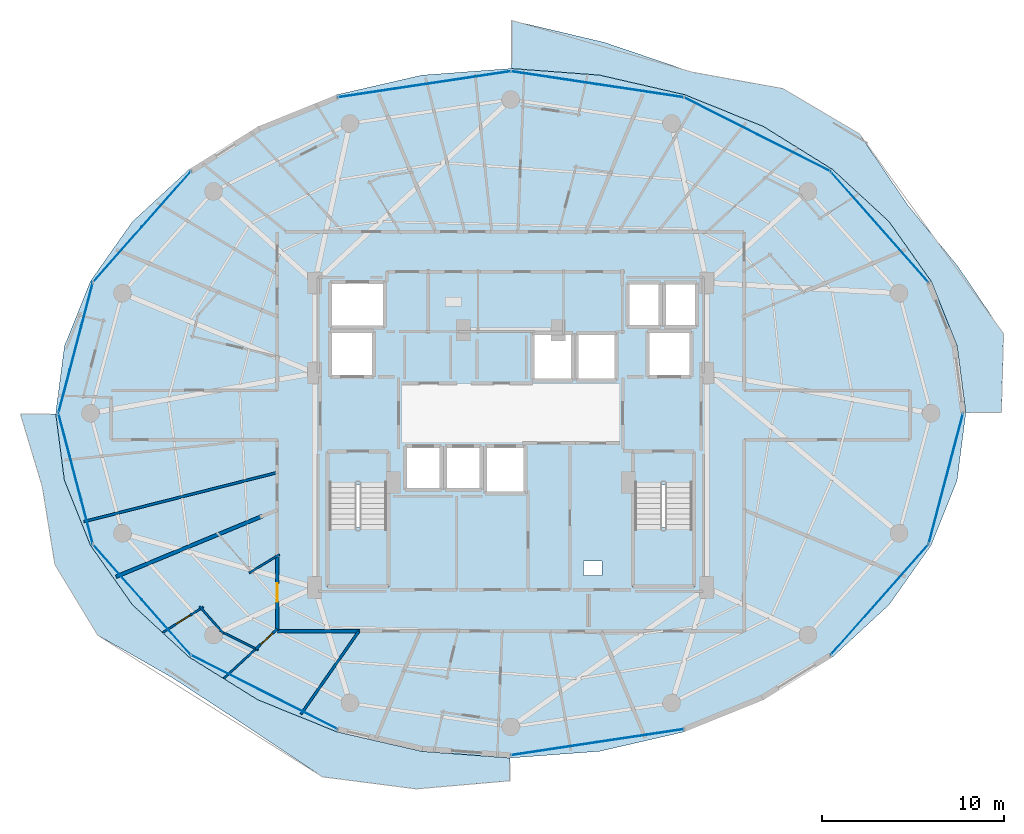
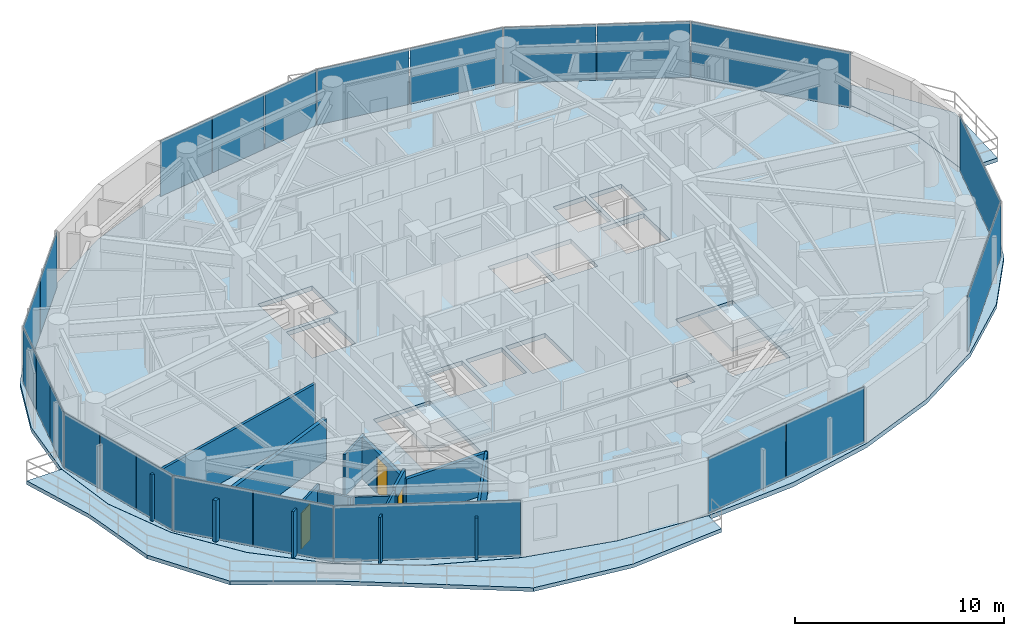
# One storey, part 19 of 28: 23 plates, 11 walls, 5 slabs, 3 doors, 3 openings, 6 elements without a shape of their own.
"""IFC4 building model written with IfcOpenShell, lengths in metres."""

from ifc_helpers import new_model, si_unit, direction, frame, frame_2d, origin, origin_2d, place, context, subcontext, project, spatial, polyline, rectangle, outline, extrude, material, layer, layer_set, type_object, element, fill, aggregate, save


model = new_model("IFC4")

# Units and contexts
model_context = context("Model", 3, precision=1e-05, world=origin(), true_north=direction((0.0, 1.0)))
body_context = subcontext(model_context, "Body", "Model", "MODEL_VIEW")
ifc_project = project(units=[si_unit("LENGTHUNIT", "METRE"), si_unit("AREAUNIT", "SQUARE_METRE"), si_unit("VOLUMEUNIT", "CUBIC_METRE"), si_unit("PLANEANGLEUNIT", "RADIAN"), si_unit("MASSUNIT", "GRAM", prefix="KILO")], contexts=[model_context])

# Site, building, storey
site_placement = place(None, origin())
site = spatial("IfcSite", under=ifc_project, at=site_placement, CompositionType="ELEMENT")
building_placement = place(site_placement, origin())
building = spatial("IfcBuilding", under=site, at=building_placement, Name="Vorneva Point Tower", CompositionType="ELEMENT")
storey_placement = place(building_placement, frame((0.0, 0.0, 143.10009765625)))
storey = spatial("IfcBuildingStorey", under=building, at=storey_placement, Name="L38", CompositionType="ELEMENT", Elevation=143.10009765625)

# Curtain wall, plates
ifc_material_1 = material(Name="Pale anodised aluminium", Category="aluminium")
curtain_wall_type = type_object("IfcCurtainWallType", Name="CW-RES-SYS", PredefinedType="NOTDEFINED", material=ifc_material_1)
curtain_wall_1_placement = place(storey_placement, origin())
curtain_wall_1 = element("IfcCurtainWall", 1, at=curtain_wall_1_placement, inside=storey, type_object=curtain_wall_type, Name="L38 Unitised Curtain Wall CW-L38-R01", PredefinedType="NOTDEFINED")
ifc_material_2 = material(Name="Double low-e laminated glass IGU", Category="glass")
ifc_layer_1 = layer(ifc_material_2, 0.035888671875)
ifc_layer_set_1 = layer_set([ifc_layer_1], Name="Double low-e laminated glass IGU")
plate_type = type_object("IfcPlateType", Name="CW-PNL-VIS", PredefinedType="CURTAIN_PANEL", material=ifc_layer_set_1)
plate_1_placement = place(storey_placement, frame((58.22412109375, 36.216796875, -0.02001953125), z_axis=(0.0, 0.0, 1.0), x_axis=(-0.662214727207, 0.749314123095, 0.0)))
plate_1 = element("IfcPlate", 2, at=plate_1_placement, type_object=plate_type, Name="CW-L38-R01 Glazed Panel 01", PredefinedType="CURTAIN_PANEL", context=body_context, shape_type="SweptSolid", body=[
    extrude(rectangle(XDim=8.068115234375, YDim=0.035888671875, at=origin_2d()), origin(), (0.0, 0.0, 1.0), 3.280029296875),
])
plate_2_placement = place(storey_placement, frame((53.52490234375, 40.2744140625, -0.02001953125), z_axis=(0.0, 0.0, 1.0), x_axis=(-0.892577949019, 0.450893119182, 0.0)))
plate_2 = element("IfcPlate", 3, at=plate_2_placement, type_object=plate_type, Name="CW-L38-R01 Glazed Panel 02A", PredefinedType="CURTAIN_PANEL", context=body_context, shape_type="SweptSolid", body=[
    extrude(rectangle(XDim=4.45703125, YDim=0.035888671875, at=origin_2d()), origin(), (0.0, 0.0, 1.0), 3.280029296875),
])
plate_3_placement = place(storey_placement, frame((49.501953125, 42.306640625, -0.02001953125), z_axis=(0.0, 0.0, 1.0), x_axis=(-0.892577949019, 0.450893119182, 0.0)))
plate_3 = element("IfcPlate", 4, at=plate_3_placement, type_object=plate_type, Name="CW-L38-R01 Glazed Panel 02B", PredefinedType="CURTAIN_PANEL", context=body_context, shape_type="SweptSolid", body=[
    extrude(rectangle(XDim=4.45703125, YDim=0.035888671875, at=origin_2d()), origin(), (0.0, 0.0, 1.0), 3.280029296875),
])
plate_4_placement = place(storey_placement, frame((45.117919921875, 43.679443359375, -0.02001953125), z_axis=(0.0, 0.0, 1.0), x_axis=(-0.988878712919, 0.148724211669, 0.0)))
plate_4 = element("IfcPlate", 5, at=plate_4_placement, type_object=plate_type, Name="CW-L38-R01 Glazed Panel 03A", PredefinedType="CURTAIN_PANEL", context=body_context, shape_type="SweptSolid", body=[
    extrude(rectangle(XDim=4.74853515625, YDim=0.035888671875, at=origin_2d()), origin(), (0.0, 0.0, 1.0), 3.280029296875),
])
plate_5_placement = place(storey_placement, frame((40.37255859375, 44.393310546875, -0.02001953125), z_axis=(0.0, 0.0, 1.0), x_axis=(-0.988878712919, 0.148724211669, 0.0)))
plate_5 = element("IfcPlate", 6, at=plate_5_placement, type_object=plate_type, Name="CW-L38-R01 Glazed Panel 03B", PredefinedType="CURTAIN_PANEL", context=body_context, shape_type="SweptSolid", body=[
    extrude(rectangle(XDim=4.74853515625, YDim=0.035888671875, at=origin_2d()), origin(), (0.0, 0.0, 1.0), 3.280029296875),
])
plate_6_placement = place(storey_placement, frame((36.418212890625, 44.51220703125, -0.02001953125), z_axis=(0.0, 0.0, 1.0), x_axis=(-0.988878712919, -0.148724211669, 0.0)))
plate_6 = element("IfcPlate", 7, at=plate_6_placement, type_object=plate_type, Name="CW-L38-R01 Glazed Panel 04A", PredefinedType="CURTAIN_PANEL", context=body_context, shape_type="SweptSolid", body=[
    extrude(rectangle(XDim=3.149169921875, YDim=0.035888671875, at=origin_2d()), origin(), (0.0, 0.0, 1.0), 3.280029296875),
])
plate_7_placement = place(storey_placement, frame((33.2548828125, 44.036376953125, -0.02001953125), z_axis=(0.0, 0.0, 1.0), x_axis=(-0.988878712919, -0.148724211669, 0.0)))
plate_7 = element("IfcPlate", 8, at=plate_7_placement, type_object=plate_type, Name="CW-L38-R01 Glazed Panel 04B", PredefinedType="CURTAIN_PANEL", context=body_context, shape_type="SweptSolid", body=[
    extrude(rectangle(XDim=3.149169921875, YDim=0.035888671875, at=origin_2d()), origin(), (0.0, 0.0, 1.0), 3.280029296875),
])
plate_8_placement = place(storey_placement, frame((30.09130859375, 43.560546875, -0.02001953125), z_axis=(0.0, 0.0, 1.0), x_axis=(-0.988878712919, -0.148724211669, 0.0)))
plate_8 = element("IfcPlate", 9, at=plate_8_placement, type_object=plate_type, Name="CW-L38-R01 Glazed Panel 04C", PredefinedType="CURTAIN_PANEL", context=body_context, shape_type="SweptSolid", body=[
    extrude(rectangle(XDim=3.149169921875, YDim=0.035888671875, at=origin_2d()), origin(), (0.0, 0.0, 1.0), 3.280029296875),
])
aggregate(curtain_wall_1, [plate_1, plate_2, plate_3, plate_4, plate_5, plate_6, plate_7, plate_8])

curtain_wall_2_placement = place(storey_placement, origin())
curtain_wall_2 = element("IfcCurtainWall", 10, at=curtain_wall_2_placement, inside=storey, type_object=curtain_wall_type, Name="L38 Unitised Curtain Wall CW-L38-R02", PredefinedType="NOTDEFINED")
plate_9_placement = place(storey_placement, frame((19.119873046875, 37.737548828125, -0.02001953125), z_axis=(0.0, 0.0, 1.0), x_axis=(-0.662214727207, -0.749314123095, 0.0)))
plate_9 = element("IfcPlate", 11, at=plate_9_placement, type_object=plate_type, Name="CW-L38-R02 Glazed Panel 01A", PredefinedType="CURTAIN_PANEL", context=body_context, shape_type="SweptSolid", body=[
    extrude(rectangle(XDim=4.009033203125, YDim=0.035888671875, at=origin_2d()), origin(), (0.0, 0.0, 1.0), 3.280029296875),
])
plate_10_placement = place(storey_placement, frame((16.431884765625, 34.696044921875, -0.02001953125), z_axis=(0.0, 0.0, 1.0), x_axis=(-0.662214727207, -0.749314123095, 0.0)))
plate_10 = element("IfcPlate", 12, at=plate_10_placement, type_object=plate_type, Name="CW-L38-R02 Glazed Panel 01B", PredefinedType="CURTAIN_PANEL", context=body_context, shape_type="SweptSolid", body=[
    extrude(rectangle(XDim=4.009033203125, YDim=0.035888671875, at=origin_2d()), origin(), (0.0, 0.0, 1.0), 3.280029296875),
])
plate_11_placement = place(storey_placement, frame((14.773193359375, 31.9794921875, -0.02001953125), z_axis=(0.0, 0.0, 1.0), x_axis=(-0.254433162972, -0.967090360608, 0.0)))
plate_11 = element("IfcPlate", 13, at=plate_11_placement, type_object=plate_type, Name="CW-L38-R02 Glazed Panel 02A", PredefinedType="CURTAIN_PANEL", context=body_context, shape_type="SweptSolid", body=[
    extrude(rectangle(XDim=2.423095703125, YDim=0.035888671875, at=origin_2d()), origin(), (0.0, 0.0, 1.0), 3.280029296875),
])
plate_12_placement = place(storey_placement, frame((14.143798828125, 29.587646484375, -0.02001953125), z_axis=(0.0, 0.0, 1.0), x_axis=(-0.254433162972, -0.967090360608, 0.0)))
plate_12 = element("IfcPlate", 14, at=plate_12_placement, type_object=plate_type, Name="CW-L38-R02 Glazed Panel 02B", PredefinedType="CURTAIN_PANEL", context=body_context, shape_type="SweptSolid", body=[
    extrude(rectangle(XDim=2.423095703125, YDim=0.035888671875, at=origin_2d()), origin(), (0.0, 0.0, 1.0), 3.280029296875),
])
plate_13_placement = place(storey_placement, frame((13.5146484375, 27.19580078125, -0.02001953125), z_axis=(0.0, 0.0, 1.0), x_axis=(-0.254433162972, -0.967090360608, 0.0)))
plate_13 = element("IfcPlate", 15, at=plate_13_placement, type_object=plate_type, Name="CW-L38-R02 Glazed Panel 02C", PredefinedType="CURTAIN_PANEL", context=body_context, shape_type="SweptSolid", body=[
    extrude(rectangle(XDim=2.423095703125, YDim=0.035888671875, at=origin_2d()), origin(), (0.0, 0.0, 1.0), 3.280029296875),
])
plate_14_placement = place(storey_placement, frame((13.5146484375, 24.80419921875, -0.02001953125), z_axis=(0.0, 0.0, 1.0), x_axis=(0.254433162972, -0.967090360608, 0.0)))
plate_14 = element("IfcPlate", 16, at=plate_14_placement, type_object=plate_type, Name="CW-L38-R02 Glazed Panel 03A", PredefinedType="CURTAIN_PANEL", context=body_context, shape_type="SweptSolid", body=[
    extrude(rectangle(XDim=2.423095703125, YDim=0.035888671875, at=origin_2d()), origin(), (0.0, 0.0, 1.0), 3.280029296875),
])
plate_15_placement = place(storey_placement, frame((14.143798828125, 22.412353515625, -0.02001953125), z_axis=(0.0, 0.0, 1.0), x_axis=(0.254433162972, -0.967090360608, 0.0)))
plate_15 = element("IfcPlate", 17, at=plate_15_placement, type_object=plate_type, Name="CW-L38-R02 Glazed Panel 03B", PredefinedType="CURTAIN_PANEL", context=body_context, shape_type="SweptSolid", body=[
    extrude(rectangle(XDim=2.423095703125, YDim=0.035888671875, at=origin_2d()), origin(), (0.0, 0.0, 1.0), 3.280029296875),
])
plate_16_placement = place(storey_placement, frame((14.773193359375, 20.0205078125, -0.02001953125), z_axis=(0.0, 0.0, 1.0), x_axis=(0.254433162972, -0.967090360608, 0.0)))
plate_16 = element("IfcPlate", 18, at=plate_16_placement, type_object=plate_type, Name="CW-L38-R02 Glazed Panel 03C", PredefinedType="CURTAIN_PANEL", context=body_context, shape_type="SweptSolid", body=[
    extrude(rectangle(XDim=2.423095703125, YDim=0.035888671875, at=origin_2d()), origin(), (0.0, 0.0, 1.0), 3.280029296875),
])
plate_17_placement = place(storey_placement, frame((16.431884765625, 17.303955078125, -0.02001953125), z_axis=(0.0, 0.0, 1.0), x_axis=(0.662214727207, -0.749314123095, 0.0)))
plate_17 = element("IfcPlate", 19, at=plate_17_placement, type_object=plate_type, Name="CW-L38-R02 Glazed Panel 04A", PredefinedType="CURTAIN_PANEL", context=body_context, shape_type="SweptSolid", body=[
    extrude(rectangle(XDim=4.009033203125, YDim=0.035888671875, at=origin_2d()), origin(), (0.0, 0.0, 1.0), 3.280029296875),
])
plate_18_placement = place(storey_placement, frame((19.119873046875, 14.262451171875, -0.02001953125), z_axis=(0.0, 0.0, 1.0), x_axis=(0.662214727207, -0.749314123095, 0.0)))
plate_18 = element("IfcPlate", 20, at=plate_18_placement, type_object=plate_type, Name="CW-L38-R02 Glazed Panel 04B", PredefinedType="CURTAIN_PANEL", context=body_context, shape_type="SweptSolid", body=[
    extrude(rectangle(XDim=4.009033203125, YDim=0.035888671875, at=origin_2d()), origin(), (0.0, 0.0, 1.0), 3.280029296875),
])
plate_19_placement = place(storey_placement, frame((24.486572265625, 10.70947265625, -0.02001953125), z_axis=(0.0, 0.0, 1.0), x_axis=(0.892577949019, -0.450893119182, 0.0)))
plate_19 = element("IfcPlate", 21, at=plate_19_placement, type_object=plate_type, Name="CW-L38-R02 Glazed Panel 05", PredefinedType="CURTAIN_PANEL", context=body_context, shape_type="SweptSolid", body=[
    extrude(rectangle(XDim=8.964111328125, YDim=0.035888671875, at=origin_2d()), origin(), (0.0, 0.0, 1.0), 3.280029296875),
])
aggregate(curtain_wall_2, [plate_9, plate_10, plate_11, plate_12, plate_13, plate_14, plate_15, plate_16, plate_17, plate_18, plate_19])

curtain_wall_3_placement = place(storey_placement, origin())
curtain_wall_3 = element("IfcCurtainWall", 22, at=curtain_wall_3_placement, inside=storey, type_object=curtain_wall_type, Name="L38 Unitised Curtain Wall CW-L38-R03", PredefinedType="NOTDEFINED")
plate_20_placement = place(storey_placement, frame((40.37255859375, 7.606689453125, -0.02001953125), z_axis=(0.0, 0.0, 1.0), x_axis=(0.988878712919, 0.148724211669, 0.0)))
plate_20 = element("IfcPlate", 23, at=plate_20_placement, type_object=plate_type, Name="CW-L38-R03 Glazed Panel 01A", PredefinedType="CURTAIN_PANEL", context=body_context, shape_type="SweptSolid", body=[
    extrude(rectangle(XDim=4.74853515625, YDim=0.035888671875, at=origin_2d()), origin(), (0.0, 0.0, 1.0), 3.280029296875),
])
plate_21_placement = place(storey_placement, frame((45.117919921875, 8.320556640625, -0.02001953125), z_axis=(0.0, 0.0, 1.0), x_axis=(0.988878712919, 0.148724211669, 0.0)))
plate_21 = element("IfcPlate", 24, at=plate_21_placement, type_object=plate_type, Name="CW-L38-R03 Glazed Panel 01B", PredefinedType="CURTAIN_PANEL", context=body_context, shape_type="SweptSolid", body=[
    extrude(rectangle(XDim=4.74853515625, YDim=0.035888671875, at=origin_2d()), origin(), (0.0, 0.0, 1.0), 3.280029296875),
])
aggregate(curtain_wall_3, [plate_20, plate_21])

curtain_wall_4_placement = place(storey_placement, origin())
curtain_wall_4 = element("IfcCurtainWall", 25, at=curtain_wall_4_placement, inside=storey, type_object=curtain_wall_type, Name="L38 Unitised Curtain Wall CW-L38-R04", PredefinedType="NOTDEFINED")
plate_22_placement = place(storey_placement, frame((58.22412109375, 15.783203125, -0.02001953125), z_axis=(0.0, 0.0, 1.0), x_axis=(0.662214727207, 0.749314123095, 0.0)))
plate_22 = element("IfcPlate", 26, at=plate_22_placement, type_object=plate_type, Name="CW-L38-R04 Glazed Panel 01", PredefinedType="CURTAIN_PANEL", context=body_context, shape_type="SweptSolid", body=[
    extrude(rectangle(XDim=8.068115234375, YDim=0.035888671875, at=origin_2d()), origin(), (0.0, 0.0, 1.0), 3.280029296875),
])
plate_23_placement = place(storey_placement, frame((61.856201171875, 22.412353515625, -0.02001953125), z_axis=(0.0, 0.0, 1.0), x_axis=(0.254433162972, 0.967090360608, 0.0)))
plate_23 = element("IfcPlate", 27, at=plate_23_placement, type_object=plate_type, Name="CW-L38-R04 Glazed Panel 02", PredefinedType="CURTAIN_PANEL", context=body_context, shape_type="SweptSolid", body=[
    extrude(rectangle(XDim=7.369384765625, YDim=0.035888671875, at=origin_2d()), origin(), (0.0, 0.0, 1.0), 3.280029296875),
])
aggregate(curtain_wall_4, [plate_22, plate_23])

# Slabs
ifc_material_3 = material(Name="Concrete B50 (C40/50)", Category="concrete")
ifc_layer_2 = layer(ifc_material_3, 0.219970703125)
ifc_layer_set_2 = layer_set([ifc_layer_2], Name="Concrete B50 (C40/50)")
slab_type_1 = type_object("IfcSlabType", Name="SLB-BAL-220", PredefinedType="FLOOR", material=ifc_layer_set_2)
slab_1_placement = place(storey_placement, frame((0.0, 0.0, -0.22021484375)))
element("IfcSlab", 28, at=slab_1_placement, inside=storey, type_object=slab_type_1, Name="L38 Cantilevered Wave Balcony NE", PredefinedType="FLOOR", context=body_context, shape_type="SweptSolid", body=[
    extrude(outline(polyline([(38.050048828125, 47.5380859375), (38.050048828125, 44.900390625), (42.867919921875, 44.540771484375), (42.8681640625, 44.540771484375), (42.868408203125, 44.540771484375), (47.548828125, 43.465087890625), (47.54931640625, 43.465087890625), (47.549560546875, 43.465087890625), (51.863037109375, 41.718505859375), (51.86328125, 41.718505859375), (51.863525390625, 41.71826171875), (55.644287109375, 39.36767578125), (55.644775390625, 39.367431640625), (55.64501953125, 39.3671875), (58.747802734375, 36.503173828125), (58.748291015625, 36.5029296875), (58.74853515625, 36.502685546875), (61.05419921875, 33.235107421875), (61.05419921875, 33.234619140625), (61.054443359375, 33.234130859375), (62.474365234375, 29.688720703125), (62.474365234375, 29.6884765625), (62.474609375, 29.68798828125), (62.474609375, 29.687744140625), (62.947509765625, 26.050048828125), (64.9013671875, 26.050048828125), (65.020751953125, 30.356689453125), (62.526611328125, 34.039794921875), (59.77099609375, 37.4052734375), (57.11865234375, 41.313232421875), (52.917724609375, 43.801513671875), (47.93798828125, 44.704833984375), (43.1376953125, 46.330078125), (38.050048828125, 47.5380859375)])), origin(), (0.0, 0.0, 1.0), 0.22021484375),
])
slab_2_placement = place(storey_placement, frame((0.0, 0.0, -0.22021484375)))
element("IfcSlab", 29, at=slab_2_placement, inside=storey, type_object=slab_type_1, Name="L38 Cantilevered Wave Balcony SW", PredefinedType="FLOOR", context=body_context, shape_type="SweptSolid", body=[
    extrude(outline(polyline([(37.949951171875, 5.845703125), (37.949951171875, 7.099609375), (33.132080078125, 7.459228515625), (33.1318359375, 7.459228515625), (33.131591796875, 7.459228515625), (28.451171875, 8.534912109375), (28.45068359375, 8.534912109375), (28.450439453125, 8.534912109375), (24.136962890625, 10.281494140625), (24.13671875, 10.281494140625), (24.136474609375, 10.28173828125), (20.355712890625, 12.63232421875), (20.355224609375, 12.632568359375), (20.35498046875, 12.6328125), (17.252197265625, 15.496826171875), (17.251708984375, 15.4970703125), (17.25146484375, 15.497314453125), (14.94580078125, 18.764892578125), (14.94580078125, 18.765380859375), (14.945556640625, 18.765869140625), (13.525634765625, 22.311279296875), (13.525634765625, 22.3115234375), (13.525390625, 22.31201171875), (13.525390625, 22.312255859375), (13.052490234375, 25.949951171875), (11.114990234375, 25.949951171875), (12.307373046875, 21.991943359375), (13.003173828125, 17.703125), (15.35595703125, 13.82470703125), (19.47900390625, 11.475830078125), (23.43359375, 8.892333984375), (27.674560546875, 6.06103515625), (32.821533203125, 5.39990234375), (37.949951171875, 5.845703125)])), origin(), (0.0, 0.0, 1.0), 0.22021484375),
])

# Stair, slab
stair_type = type_object("IfcStairType", Name="ST-DOG-1500", PredefinedType="HALF_TURN_STAIR", material=ifc_material_3)
stair_1_placement = place(storey_placement, origin())
stair_1 = element("IfcStair", 30, at=stair_1_placement, inside=storey, type_object=stair_type, Name="L38 ST1", PredefinedType="HALF_TURN_STAIR")
ifc_layer_3 = layer(ifc_material_3, 0.199951171875)
ifc_layer_set_3 = layer_set([ifc_layer_3], Name="Concrete B50 (C40/50)")
slab_type_2 = type_object("IfcSlabType", Name="SLB-LND-200", PredefinedType="LANDING", material=ifc_layer_set_3)
slab_3_placement = place(storey_placement, frame((0.0, 0.0, 1.5498046875)))
slab_3 = element("IfcSlab", 31, at=slab_3_placement, type_object=slab_type_2, Name="ST1 landing 1", PredefinedType="LANDING", context=body_context, shape_type="SweptSolid", body=[
    extrude(outline(polyline([(27.929931640625, 16.47998046875), (31.320068359375, 16.47998046875), (31.320068359375, 19.72998046875), (27.929931640625, 19.72998046875), (27.929931640625, 16.47998046875)])), origin(), (0.0, 0.0, 1.0), 0.2001953125),
])
aggregate(stair_1, [slab_3])

stair_2_placement = place(storey_placement, origin())
stair_2 = element("IfcStair", 32, at=stair_2_placement, inside=storey, type_object=stair_type, Name="L38 ST2", PredefinedType="HALF_TURN_STAIR")
slab_4_placement = place(storey_placement, frame((0.0, 0.0, 1.5498046875)))
slab_4 = element("IfcSlab", 33, at=slab_4_placement, type_object=slab_type_2, Name="ST2 landing 1", PredefinedType="LANDING", context=body_context, shape_type="SweptSolid", body=[
    extrude(outline(polyline([(44.679931640625, 16.47998046875), (48.070068359375, 16.47998046875), (48.070068359375, 19.72998046875), (44.679931640625, 19.72998046875), (44.679931640625, 16.47998046875)])), origin(), (0.0, 0.0, 1.0), 0.2001953125),
])
aggregate(stair_2, [slab_4])

# Slab
ifc_layer_4 = layer(ifc_material_3, 0.260009765625)
ifc_layer_set_4 = layer_set([ifc_layer_4], Name="Concrete B50 (C40/50)")
slab_type_3 = type_object("IfcSlabType", Name="SLB-TYP-260", PredefinedType="FLOOR", material=ifc_layer_set_4)
slab_5_placement = place(storey_placement, frame((0.0, 0.0, -0.260009765625)))
element("IfcSlab", 34, at=slab_5_placement, inside=storey, type_object=slab_type_3, Name="L38 Structural Floor Plate", PredefinedType="FLOOR", context=body_context, shape_type="SweptSolid", body=[
    extrude(outline(polyline([(62.949951171875, 26.0), (62.470703125, 29.687255859375), (61.05078125, 33.232666015625), (58.7451171875, 36.500244140625), (55.642333984375, 39.3642578125), (51.861572265625, 41.71484375), (47.548095703125, 43.461181640625), (42.867431640625, 44.536865234375), (38.0, 44.89990234375), (33.132568359375, 44.536865234375), (28.451904296875, 43.461181640625), (24.138427734375, 41.71484375), (20.357666015625, 39.3642578125), (17.2548828125, 36.500244140625), (14.94921875, 33.232666015625), (13.529296875, 29.687255859375), (13.050048828125, 26.0), (13.529296875, 22.312744140625), (14.94921875, 18.767333984375), (17.2548828125, 15.499755859375), (20.357666015625, 12.6357421875), (24.138427734375, 10.28515625), (28.451904296875, 8.538818359375), (33.132568359375, 7.463134765625), (38.0, 7.10009765625), (42.867431640625, 7.463134765625), (47.548095703125, 8.538818359375), (51.861572265625, 10.28515625), (55.642333984375, 12.6357421875), (58.7451171875, 15.499755859375), (61.05078125, 18.767333984375), (62.470703125, 22.312744140625), (62.949951171875, 26.0)]), holes=[polyline([(32.199951171875, 21.800048828125), (34.199951171875, 21.800048828125), (34.199951171875, 24.199951171875), (32.199951171875, 24.199951171875), (32.199951171875, 21.800048828125)]), polyline([(34.39990234375, 21.800048828125), (36.39990234375, 21.800048828125), (36.39990234375, 24.199951171875), (34.39990234375, 24.199951171875), (34.39990234375, 21.800048828125)]), polyline([(36.60009765625, 21.60009765625), (38.800048828125, 21.60009765625), (38.800048828125, 24.199951171875), (36.60009765625, 24.199951171875), (36.60009765625, 21.60009765625)]), polyline([(39.199951171875, 27.800048828125), (41.39990234375, 27.800048828125), (41.39990234375, 30.39990234375), (39.199951171875, 30.39990234375), (39.199951171875, 27.800048828125)]), polyline([(41.60009765625, 27.800048828125), (43.800048828125, 27.800048828125), (43.800048828125, 30.39990234375), (41.60009765625, 30.39990234375), (41.60009765625, 27.800048828125)]), polyline([(44.39990234375, 30.739990234375), (46.199951171875, 30.739990234375), (46.199951171875, 33.159912109375), (44.39990234375, 33.159912109375), (44.39990234375, 30.739990234375)]), polyline([(46.39990234375, 30.739990234375), (48.199951171875, 30.739990234375), (48.199951171875, 33.159912109375), (46.39990234375, 33.159912109375), (46.39990234375, 30.739990234375)]), polyline([(28.10009765625, 28.0), (30.5, 28.0), (30.5, 30.5), (28.10009765625, 30.5), (28.10009765625, 28.0)]), polyline([(45.5, 28.0), (47.89990234375, 28.0), (47.89990234375, 30.5), (45.5, 30.5), (45.5, 28.0)]), polyline([(28.10009765625, 30.699951171875), (31.10009765625, 30.699951171875), (31.10009765625, 33.199951171875), (28.10009765625, 33.199951171875), (28.10009765625, 30.699951171875)]), polyline([(28.050048828125, 16.60009765625), (31.199951171875, 16.60009765625), (31.199951171875, 22.080078125), (28.050048828125, 22.080078125), (28.050048828125, 16.60009765625)]), polyline([(44.800048828125, 16.60009765625), (47.949951171875, 16.60009765625), (47.949951171875, 22.080078125), (44.800048828125, 22.080078125), (44.800048828125, 16.60009765625)]), polyline([(42.0, 17.10009765625), (43.0, 17.10009765625), (43.0, 17.89990234375), (42.0, 17.89990234375), (42.0, 17.10009765625)])]), origin(), (0.0, 0.0, 1.0), 0.260009765625),
])

# Walls
ifc_material_4 = material(Name="Fire-rated acoustic gypsum stud partition", Category="gypsum")
ifc_layer_5 = layer(ifc_material_4, 0.110107421875)
ifc_layer_set_5 = layer_set([ifc_layer_5], Name="Fire-rated acoustic gypsum stud partition")
wall_type_1 = type_object("IfcWallType", Name="WL-PART-110", PredefinedType="PARTITIONING", material=ifc_layer_set_5)
wall_1_placement = place(storey_placement, frame((25.319580078125, 18.257080078125, 0.0), z_axis=(0.0, 0.0, 1.0), x_axis=(-0.853368681548, -0.52130786811, 0.0)))
element("IfcWall", 35, at=wall_1_placement, inside=storey, type_object=wall_type_1, Name="L38 Interior Partition 116", PredefinedType="PARTITIONING", context=body_context, shape_type="SweptSolid", body=[
    extrude(rectangle(XDim=1.9453125, YDim=0.110107421875, at=frame_2d((0.97265625, 0.0))), origin(), (0.0, 0.0, 1.0), 2.431884765625),
])
wall_2_placement = place(storey_placement, frame((20.935302734375, 15.408935546875, 0.0), z_axis=(0.0, 0.0, 1.0), x_axis=(0.66216897397, -0.749354555542, 0.0)))
element("IfcWall", 36, at=wall_2_placement, inside=storey, type_object=wall_type_1, Name="L38 Interior Partition 118", PredefinedType="PARTITIONING", context=body_context, shape_type="SweptSolid", body=[
    extrude(rectangle(XDim=1.990966796875, YDim=0.110107421875, at=frame_2d((0.99560546875, 0.0))), origin(), (0.0, 0.0, 1.0), 2.431884765625),
])
wall_3_placement = place(storey_placement, frame((22.0361328125, 14.085205078125, 0.0), z_axis=(0.0, 0.0, 1.0), x_axis=(0.892312874209, -0.451417472548, 0.0)))
element("IfcWall", 37, at=wall_3_placement, inside=storey, type_object=wall_type_1, Name="L38 Interior Partition 119", PredefinedType="PARTITIONING", context=body_context, shape_type="SweptSolid", body=[
    extrude(rectangle(XDim=2.36669921875, YDim=0.110107421875, at=frame_2d((1.183349609375, 0.0))), origin(), (0.0, 0.0, 1.0), 2.431884765625),
])

# Wall, opening, door
wall_4_placement = place(storey_placement, frame((18.924560546875, 13.978515625, 0.0), z_axis=(0.0, 0.0, 1.0), x_axis=(0.846034075758, 0.533128823697, 0.0)))
wall_4 = element("IfcWall", 38, at=wall_4_placement, inside=storey, type_object=wall_type_1, Name="L38 Interior Partition 120", PredefinedType="PARTITIONING", context=body_context, shape_type="SweptSolid", body=[
    extrude(rectangle(XDim=2.626220703125, YDim=0.110107421875, at=frame_2d((1.31298828125, 0.0))), origin(), (0.0, 0.0, 1.0), 2.727783203125),
])
opening_1_placement = place(wall_4_placement, frame((0.863037109375, 0.0, 0.0)))
opening_1 = element("IfcOpeningElement", 39, at=opening_1_placement, cuts=wall_4, Name="Opening ID-01", PredefinedType="OPENING", context=body_context, shape_type="SweptSolid", body=[
    extrude(rectangle(XDim=0.89990234375, YDim=2.10009765625, at=frame_2d((0.449951171875, 1.050048828125))), frame((0.0, 0.06982421875, 0.0), z_axis=(0.0, -1.0, 0.0), x_axis=(1.0, 0.0, 0.0)), (0.0, 0.0, 1.0), 0.139892578125),
])
ifc_material_5 = material(Name="Engineered oak fire-rated door leaf", Category="wood")
door_type_1 = type_object("IfcDoorType", Name="DR-ROOM-900", OperationType="NOTDEFINED", PredefinedType="DOOR", material=ifc_material_5)
door_1_placement = place(opening_1_placement, origin())
door_1 = element("IfcDoor", 40, at=door_1_placement, inside=storey, type_object=door_type_1, Name="L38 Door Living and Dining Room L38-05 / Kitchen L38-05", OperationType="SINGLE_SWING_LEFT", OverallHeight=2.10009765625, OverallWidth=0.89990234375, PredefinedType="DOOR", context=body_context, shape_type="SweptSolid", body=[
    extrude(rectangle(XDim=0.89990234375, YDim=2.10009765625, at=frame_2d((0.449951171875, 1.050048828125))), frame((0.0, 0.02490234375, 0.0), z_axis=(0.0, -1.0, 0.0), x_axis=(1.0, 0.0, 0.0)), (0.0, 0.0, 1.0), 0.050048828125),
])
fill(opening_1, door_1)

# Walls
wall_5_placement = place(storey_placement, frame((22.273193359375, 11.462890625, 0.0), z_axis=(0.0, 0.0, 1.0), x_axis=(0.73438401738, 0.678734200565, 0.0)))
element("IfcWall", 41, at=wall_5_placement, inside=storey, type_object=wall_type_1, Name="L38 Interior Partition 122", PredefinedType="PARTITIONING", context=body_context, shape_type="SweptSolid", body=[
    extrude(rectangle(XDim=2.5224609375, YDim=0.110107421875, at=frame_2d((1.26123046875, 0.0))), origin(), (0.0, 0.0, 1.0), 2.727783203125),
])
ifc_layer_6 = layer(ifc_material_4, 0.139892578125)
ifc_layer_set_6 = layer_set([ifc_layer_6], Name="Fire-rated acoustic gypsum stud partition")
wall_type_2 = type_object("IfcWallType", Name="WL-PART-140", PredefinedType="PARTITIONING", material=ifc_layer_set_6)
wall_6_placement = place(storey_placement, frame((14.594970703125, 20.055908203125, 0.0), z_axis=(0.0, 0.0, 1.0), x_axis=(0.969235416515, 0.246135546747, 0.0)))
element("IfcWall", 42, at=wall_6_placement, inside=storey, type_object=wall_type_2, Name="L38 Interior Partition 113", PredefinedType="PARTITIONING", context=body_context, shape_type="SweptSolid", body=[
    extrude(rectangle(XDim=10.941650390625, YDim=0.139892578125, at=frame_2d((5.470703125, 0.0))), origin(), (0.0, 0.0, 1.0), 2.727783203125),
])

# Wall, opening, door
wall_7_placement = place(storey_placement, frame((24.02294921875, 13.080078125, 0.0), z_axis=(0.0, 0.0, 1.0), x_axis=(0.734359451791, 0.678760779336, 0.0)))
wall_7 = element("IfcWall", 43, at=wall_7_placement, inside=storey, type_object=wall_type_2, Name="L38 Interior Partition 121", PredefinedType="PARTITIONING", context=body_context, shape_type="SweptSolid", body=[
    extrude(rectangle(XDim=1.602783203125, YDim=0.139892578125, at=frame_2d((0.80126953125, 0.0))), origin(), (0.0, 0.0, 1.0), 2.921875),
])
opening_2_placement = place(wall_7_placement, frame((0.351318359375, 0.0, 0.0)))
opening_2 = element("IfcOpeningElement", 44, at=opening_2_placement, cuts=wall_7, Name="Opening ID-01", PredefinedType="OPENING", context=body_context, shape_type="SweptSolid", body=[
    extrude(rectangle(XDim=0.89990234375, YDim=2.10009765625, at=frame_2d((0.449951171875, 1.050048828125))), frame((0.0, 0.0849609375, 0.0), z_axis=(0.0, -1.0, 0.0), x_axis=(1.0, 0.0, 0.0)), (0.0, 0.0, 1.0), 0.169677734375),
])
door_2_placement = place(opening_2_placement, origin())
door_2 = element("IfcDoor", 45, at=door_2_placement, inside=storey, type_object=door_type_1, Name="L38 Door Living and Dining Room L38-05 / Master Bedroom L38-05.1", OperationType="SINGLE_SWING_RIGHT", OverallHeight=2.10009765625, OverallWidth=0.89990234375, PredefinedType="DOOR", context=body_context, shape_type="SweptSolid", body=[
    extrude(rectangle(XDim=0.89990234375, YDim=2.10009765625, at=frame_2d((0.449951171875, 1.050048828125))), frame((0.0, 0.02490234375, 0.0), z_axis=(0.0, -1.0, 0.0), x_axis=(1.0, 0.0, 0.0)), (0.0, 0.0, 1.0), 0.050048828125),
])
fill(opening_2, door_2)

# Wall
wall_8_placement = place(storey_placement, frame((26.4951171875, 9.492919921875, 0.0), z_axis=(0.0, 0.0, 1.0), x_axis=(0.571744252323, 0.820431904509, 0.0)))
element("IfcWall", 46, at=wall_8_placement, inside=storey, type_object=wall_type_2, Name="L38 Interior Partition 123", PredefinedType="PARTITIONING", context=body_context, shape_type="SweptSolid", body=[
    extrude(rectangle(XDim=5.554443359375, YDim=0.139892578125, at=frame_2d((2.77734375, 0.0))), origin(), (0.0, 0.0, 1.0), 2.431884765625),
])

# Wall, opening, door
ifc_material_6 = material(Name="Autoclaved aerated concrete blockwork", Category="masonry")
ifc_layer_7 = layer(ifc_material_6, 0.179931640625)
ifc_layer_set_7 = layer_set([ifc_layer_7], Name="Autoclaved aerated concrete blockwork")
wall_type_3 = type_object("IfcWallType", Name="WL-PART-180", PredefinedType="PARTITIONING", material=ifc_layer_set_7)
wall_9_placement = place(storey_placement, frame((25.199951171875, 18.243896484375, 0.0), z_axis=(0.0, 0.0, 1.0), x_axis=(0.0, -1.0, 0.0)))
wall_9 = element("IfcWall", 47, at=wall_9_placement, inside=storey, type_object=wall_type_3, Name="L38 Interior Partition 053", PredefinedType="PARTITIONING", context=body_context, shape_type="SweptSolid", body=[
    extrude(rectangle(XDim=4.157958984375, YDim=0.179931640625, at=frame_2d((2.0791015625, 0.0))), origin(), (0.0, 0.0, 1.0), 2.431884765625),
])
opening_3_placement = place(wall_9_placement, frame((1.5791015625, 0.0, 0.0)))
opening_3 = element("IfcOpeningElement", 48, at=opening_3_placement, cuts=wall_9, Name="Opening UD-01", PredefinedType="OPENING", context=body_context, shape_type="SweptSolid", body=[
    extrude(rectangle(XDim=1.0, YDim=2.14990234375, at=frame_2d((0.5, 1.074951171875))), frame((0.0, 0.10498046875, 0.0), z_axis=(0.0, -1.0, 0.0), x_axis=(1.0, 0.0, 0.0)), (0.0, 0.0, 1.0), 0.209716796875),
])
door_type_2 = type_object("IfcDoorType", Name="DR-UNIT-1000", OperationType="NOTDEFINED", PredefinedType="DOOR", material=ifc_material_5)
door_3_placement = place(opening_3_placement, origin())
door_3 = element("IfcDoor", 49, at=door_3_placement, inside=storey, type_object=door_type_2, Name="L38 Door L38 Circulation Corridor / Living and Dining Room L38-05", OperationType="SINGLE_SWING_RIGHT", OverallHeight=2.14990234375, OverallWidth=1.0, PredefinedType="DOOR", context=body_context, shape_type="SweptSolid", body=[
    extrude(rectangle(XDim=1.0, YDim=2.14990234375, at=frame_2d((0.5, 1.074951171875))), frame((0.0, 0.02490234375, 0.0), z_axis=(0.0, -1.0, 0.0), x_axis=(1.0, 0.0, 0.0)), (0.0, 0.0, 1.0), 0.050048828125),
])
fill(opening_3, door_3)

# Walls
wall_10_placement = place(storey_placement, frame((25.199951171875, 14.050048828125, 0.0), z_axis=(0.0, 0.0, 1.0), x_axis=(1.0, 0.0, 0.0)))
element("IfcWall", 50, at=wall_10_placement, inside=storey, type_object=wall_type_3, Name="L38 Interior Partition 055", PredefinedType="PARTITIONING", context=body_context, shape_type="SweptSolid", body=[
    extrude(rectangle(XDim=4.531005859375, YDim=0.179931640625, at=frame_2d((2.265625, 0.0))), origin(), (0.0, 0.0, 1.0), 2.431884765625),
])
ifc_layer_8 = layer(ifc_material_6, 0.199951171875)
ifc_layer_set_8 = layer_set([ifc_layer_8], Name="Autoclaved aerated concrete blockwork")
wall_type_4 = type_object("IfcWallType", Name="WL-PART-200", PredefinedType="PARTITIONING", material=ifc_layer_set_8)
wall_11_placement = place(storey_placement, frame((16.35498046875, 17.034912109375, 0.0), z_axis=(0.0, 0.0, 1.0), x_axis=(0.923885339237, 0.382669413387, 0.0)))
element("IfcWall", 51, at=wall_11_placement, inside=storey, type_object=wall_type_4, Name="L38 Interior Partition 114", PredefinedType="PARTITIONING", context=body_context, shape_type="SweptSolid", body=[
    extrude(rectangle(XDim=8.689453125, YDim=0.199951171875, at=frame_2d((4.3447265625, 0.0))), origin(), (0.0, 0.0, 1.0), 2.431884765625),
])

save(model, "model.ifc")
